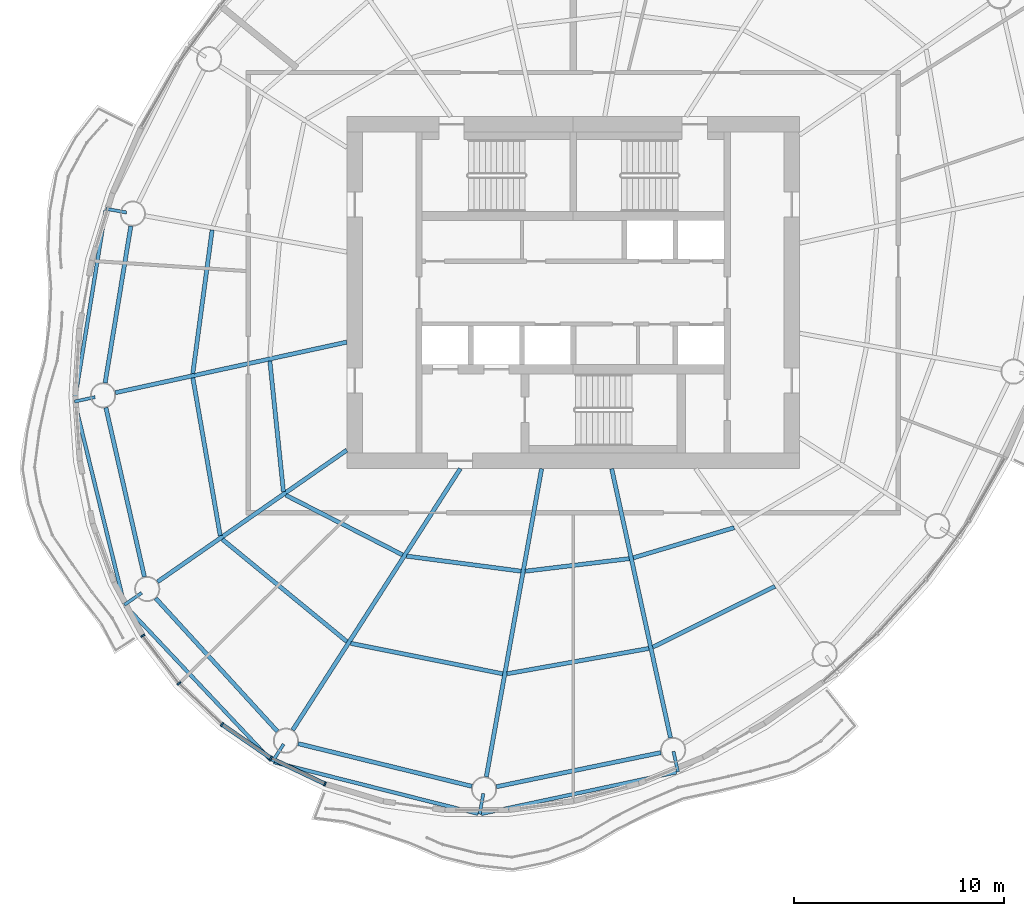
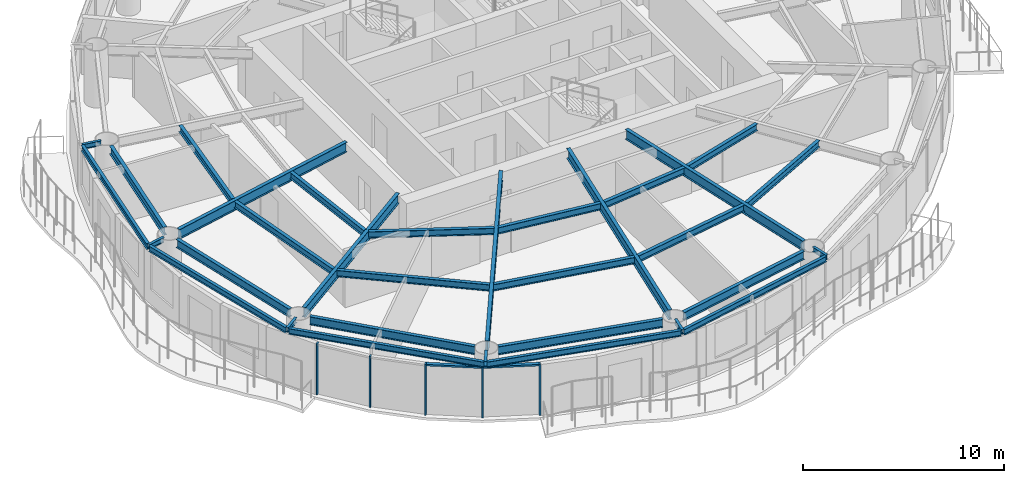
# One storey, part 2 of 14: 32 beams, 7 members, 4 elements without a shape of their own.
"""IFC4 building model written with IfcOpenShell, lengths in metres."""

from ifc_helpers import new_model, si_unit, direction, frame, origin, origin_2d, place, context, subcontext, project, spatial, rectangle, i_section, extrude, material, material_profile, profile_set, type_object, element, aggregate, save


model = new_model("IFC4")

# Units and contexts
model_context = context("Model", 3, precision=1e-05, world=origin(), true_north=direction((0.0, 1.0)))
body_context = subcontext(model_context, "Body", "Model", "MODEL_VIEW")
ifc_project = project(units=[si_unit("LENGTHUNIT", "METRE"), si_unit("AREAUNIT", "SQUARE_METRE"), si_unit("VOLUMEUNIT", "CUBIC_METRE"), si_unit("PLANEANGLEUNIT", "RADIAN"), si_unit("MASSUNIT", "GRAM", prefix="KILO")], contexts=[model_context])

# Site, building, storey
site_placement = place(None, origin())
site = spatial("IfcSite", under=ifc_project, at=site_placement, CompositionType="ELEMENT")
building_placement = place(site_placement, origin())
building = spatial("IfcBuilding", under=site, at=building_placement, Name="Vermilion Reach Broadcast Tower", CompositionType="ELEMENT")
storey_placement = place(building_placement, frame((0.0, 0.0, 235.300048828125)))
storey = spatial("IfcBuildingStorey", under=building, at=storey_placement, Name="L58", CompositionType="ELEMENT", Elevation=235.300048828125)

# Beams
ifc_material_1 = material(Name="Steel S355J2", Category="steel")
ifc_material_profile_1 = material_profile(ifc_material_1, i_section(OverallWidth=0.175048828125, OverallDepth=0.35009765625, WebThickness=0.007080078125, FlangeThickness=0.010986328125, at=origin_2d()), Name="S355J2 HN 350x175x7x11")
ifc_profile_set_1 = profile_set([ifc_material_profile_1], Name="Steel S355J2")
beam_type_1 = type_object("IfcBeamType", Name="EB4 HN 350x175x7x11", PredefinedType="BEAM", material=ifc_profile_set_1)
beam_1_placement = place(storey_placement, frame((-28.302978515625, 3.9248046875, 3.27490234375), z_axis=(-0.160024139448, -0.987113101318, 0.0), x_axis=(0.987113101318, -0.160024139448, 0.0)))
element("IfcBeam", 1, at=beam_1_placement, inside=storey, type_object=beam_type_1, Name="Edge beam EB4-06", PredefinedType="BEAM", context=body_context, shape_type="SweptSolid", body=[
    extrude(i_section(OverallWidth=0.175048828125, OverallDepth=0.35009765625, WebThickness=0.007080078125, FlangeThickness=0.010986328125, at=origin_2d()), origin(), (0.0, 0.0, 1.0), 9.16162109375),
])
beam_2_placement = place(storey_placement, frame((-29.76416015625, -5.271240234375, 3.27490234375), z_axis=(0.238213126567, -0.971212904739, 0.0), x_axis=(0.971212904739, 0.238213126567, 0.0)))
element("IfcBeam", 2, at=beam_2_placement, inside=storey, type_object=beam_type_1, Name="Edge beam EB4-07", PredefinedType="BEAM", context=body_context, shape_type="SweptSolid", body=[
    extrude(i_section(OverallWidth=0.175048828125, OverallDepth=0.35009765625, WebThickness=0.007080078125, FlangeThickness=0.010986328125, at=origin_2d()), origin(), (0.0, 0.0, 1.0), 9.82666015625),
])
beam_3_placement = place(storey_placement, frame((-27.35205078125, -14.947998046875, 3.27490234375), z_axis=(0.685968767545, -0.727630984739, 0.0), x_axis=(0.727630984739, 0.685968767545, 0.0)))
element("IfcBeam", 3, at=beam_3_placement, inside=storey, type_object=beam_type_1, Name="Edge beam EB4-08", PredefinedType="BEAM", context=body_context, shape_type="SweptSolid", body=[
    extrude(i_section(OverallWidth=0.175048828125, OverallDepth=0.35009765625, WebThickness=0.007080078125, FlangeThickness=0.010986328125, at=origin_2d()), origin(), (0.0, 0.0, 1.0), 10.1318359375),
])
beam_4_placement = place(storey_placement, frame((-20.272216796875, -22.395751953125, 3.27490234375), z_axis=(0.96945369931, -0.245274386952, 0.0), x_axis=(0.245274386952, 0.96945369931, 0.0)))
element("IfcBeam", 4, at=beam_4_placement, inside=storey, type_object=beam_type_1, Name="Edge beam EB4-09", PredefinedType="BEAM", context=body_context, shape_type="SweptSolid", body=[
    extrude(i_section(OverallWidth=0.175048828125, OverallDepth=0.35009765625, WebThickness=0.007080078125, FlangeThickness=0.010986328125, at=origin_2d()), origin(), (0.0, 0.0, 1.0), 10.04345703125),
])
beam_5_placement = place(storey_placement, frame((-10.383544921875, -24.860595703125, 3.27490234375), z_axis=(0.978034206708, 0.208444454253, 0.0), x_axis=(-0.208444454253, 0.978034206708, 0.0)))
element("IfcBeam", 5, at=beam_5_placement, inside=storey, type_object=beam_type_1, Name="Edge beam EB4-10", PredefinedType="BEAM", context=body_context, shape_type="SweptSolid", body=[
    extrude(i_section(OverallWidth=0.175048828125, OverallDepth=0.35009765625, WebThickness=0.007080078125, FlangeThickness=0.010986328125, at=origin_2d()), origin(), (0.0, 0.0, 1.0), 9.516357421875),
])
ifc_material_2 = material(Name="Steel S355J2", Category="steel")
ifc_material_profile_2 = material_profile(ifc_material_2, i_section(OverallWidth=0.199951171875, OverallDepth=0.60009765625, WebThickness=0.010986328125, FlangeThickness=0.01708984375, at=origin_2d()), Name="S355J2 HN 600x200x11x17")
ifc_profile_set_2 = profile_set([ifc_material_profile_2], Name="Steel S355J2")
beam_type_2 = type_object("IfcBeamType", Name="G4 HN 600x200x11x17", PredefinedType="BEAM", material=ifc_profile_set_2)
beam_6_placement = place(storey_placement, frame((-16.800048828125, -2.360595703125, 3.14990234375), z_axis=(-0.976930175286, -0.213558967537, 0.0), x_axis=(0.213558967537, -0.976930175286, 0.0)))
element("IfcBeam", 6, at=beam_6_placement, inside=storey, type_object=beam_type_2, Name="Girder G4-07", PredefinedType="BEAM", context=body_context, shape_type="SweptSolid", body=[
    extrude(i_section(OverallWidth=0.199951171875, OverallDepth=0.60009765625, WebThickness=0.010986328125, FlangeThickness=0.01708984375, at=origin_2d()), origin(), (0.0, 0.0, 1.0), 11.29833984375),
])
beam_7_placement = place(storey_placement, frame((-16.800048828125, -7.5146484375, 3.14990234375), z_axis=(-0.820848627818, -0.571145804684, 0.0), x_axis=(0.571145804684, -0.820848627818, 0.0)))
element("IfcBeam", 7, at=beam_7_placement, inside=storey, type_object=beam_type_2, Name="Girder G4-08", PredefinedType="BEAM", context=body_context, shape_type="SweptSolid", body=[
    extrude(i_section(OverallWidth=0.199951171875, OverallDepth=0.60009765625, WebThickness=0.010986328125, FlangeThickness=0.01708984375, at=origin_2d()), origin(), (0.0, 0.0, 1.0), 10.99560546875),
])
beam_8_placement = place(storey_placement, frame((-11.386474609375, -8.39990234375, 3.14990234375), z_axis=(-0.539796447586, -0.84179557802, 0.0), x_axis=(0.84179557802, -0.539796447586, 0.0)))
element("IfcBeam", 8, at=beam_8_placement, inside=storey, type_object=beam_type_2, Name="Girder G4-09", PredefinedType="BEAM", context=body_context, shape_type="SweptSolid", body=[
    extrude(i_section(OverallWidth=0.199951171875, OverallDepth=0.60009765625, WebThickness=0.010986328125, FlangeThickness=0.01708984375, at=origin_2d()), origin(), (0.0, 0.0, 1.0), 14.8076171875),
])
beam_9_placement = place(storey_placement, frame((-7.5068359375, -8.39990234375, 3.14990234375), z_axis=(-0.176574729047, -0.984287237072, 0.0), x_axis=(0.984287237072, -0.176574729047, 0.0)))
element("IfcBeam", 9, at=beam_9_placement, inside=storey, type_object=beam_type_2, Name="Girder G4-10", PredefinedType="BEAM", context=body_context, shape_type="SweptSolid", body=[
    extrude(i_section(OverallWidth=0.199951171875, OverallDepth=0.60009765625, WebThickness=0.010986328125, FlangeThickness=0.01708984375, at=origin_2d()), origin(), (0.0, 0.0, 1.0), 14.935302734375),
])
beam_10_placement = place(storey_placement, frame((-4.163818359375, -8.39990234375, 3.14990234375), z_axis=(0.213538346548, -0.976934682849, 0.0), x_axis=(0.976934682849, 0.213538346548, 0.0)))
element("IfcBeam", 10, at=beam_10_placement, inside=storey, type_object=beam_type_2, Name="Girder G4-11", PredefinedType="BEAM", context=body_context, shape_type="SweptSolid", body=[
    extrude(i_section(OverallWidth=0.199951171875, OverallDepth=0.60009765625, WebThickness=0.010986328125, FlangeThickness=0.01708984375, at=origin_2d()), origin(), (0.0, 0.0, 1.0), 13.135498046875),
])
ifc_material_3 = material(Name="Steel S355J2", Category="steel")
ifc_material_profile_3 = material_profile(ifc_material_3, i_section(OverallWidth=0.14990234375, OverallDepth=0.300048828125, WebThickness=0.006591796875, FlangeThickness=0.009033203125, at=origin_2d()), Name="S355J2 HN 300x150x6.5x9")
ifc_profile_set_3 = profile_set([ifc_material_profile_3], Name="Steel S355J2")
beam_type_3 = type_object("IfcBeamType", Name="GS4 HN 300x150x6.5x9", PredefinedType="BEAM", material=ifc_profile_set_3)
beam_11_placement = place(storey_placement, frame((-27.306640625, 3.822265625, 3.300048828125), z_axis=(-0.984300581331, 0.176500327456, 0.0), x_axis=(-0.176500327456, -0.984300581331, 0.0)))
element("IfcBeam", 11, at=beam_11_placement, inside=storey, type_object=beam_type_3, Name="Cantilever stub GS4-06", PredefinedType="BEAM", context=body_context, shape_type="SweptSolid", body=[
    extrude(i_section(OverallWidth=0.14990234375, OverallDepth=0.300048828125, WebThickness=0.006591796875, FlangeThickness=0.009033203125, at=origin_2d()), origin(), (0.0, 0.0, 1.0), 1.0),
])
beam_12_placement = place(storey_placement, frame((-28.80517578125, -4.98486328125, 3.300048828125), z_axis=(-0.976962101927, -0.213412866055, 0.0), x_axis=(0.213412866055, -0.976962101927, 0.0)))
element("IfcBeam", 12, at=beam_12_placement, inside=storey, type_object=beam_type_3, Name="Cantilever stub GS4-07", PredefinedType="BEAM", context=body_context, shape_type="SweptSolid", body=[
    extrude(i_section(OverallWidth=0.14990234375, OverallDepth=0.300048828125, WebThickness=0.006591796875, FlangeThickness=0.009033203125, at=origin_2d()), origin(), (0.0, 0.0, 1.0), 0.999755859375),
])
for number, where, z_axis, x_axis, name in (
    (13, (-26.583251953125, -14.32177734375, 3.300048828125), (-0.82095992961, -0.570985808908, 0.0), (0.570985808908, -0.82095992961, 0.0), "Cantilever stub GS4-08"),
    (14, (-19.80908203125, -21.53466796875, 3.300048828125), (-0.539794777091, -0.841796649213, 0.0), (0.841796649213, -0.539794777091, 0.0), "Cantilever stub GS4-09"),
):
    element("IfcBeam", number, at=place(storey_placement, frame(where, z_axis=z_axis, x_axis=x_axis)), inside=storey, type_object=beam_type_3, Name=name, PredefinedType="BEAM", context=body_context, shape_type="SweptSolid", body=[
        extrude(i_section(OverallWidth=0.14990234375, OverallDepth=0.300048828125, WebThickness=0.006591796875, FlangeThickness=0.009033203125, at=origin_2d()), origin(), (0.0, 0.0, 1.0), 1.0),
    ])
for number, where, z_axis, x_axis, name in (
    (15, (-10.2861328125, -23.893310546875, 3.300048828125), (-0.176542748677, -0.984292973606, 0.0), (0.984292973606, -0.176542748677, 0.0), "Cantilever stub GS4-10"),
    (16, (-1.21630859375, -21.884521484375, 3.300048828125), (0.213412866055, -0.976962101927, 0.0), (0.976962101927, 0.213412866055, 0.0), "Cantilever stub GS4-11"),
):
    element("IfcBeam", number, at=place(storey_placement, frame(where, z_axis=z_axis, x_axis=x_axis)), inside=storey, type_object=beam_type_3, Name=name, PredefinedType="BEAM", context=body_context, shape_type="SweptSolid", body=[
        extrude(i_section(OverallWidth=0.14990234375, OverallDepth=0.300048828125, WebThickness=0.006591796875, FlangeThickness=0.009033203125, at=origin_2d()), origin(), (0.0, 0.0, 1.0), 0.999755859375),
    ])
ifc_material_4 = material(Name="Steel S355J2", Category="steel")
ifc_material_profile_4 = material_profile(ifc_material_4, i_section(OverallWidth=0.199951171875, OverallDepth=0.5, WebThickness=0.010009765625, FlangeThickness=0.01611328125, at=origin_2d()), Name="S355J2 HN 500x200x10x16")
ifc_profile_set_4 = profile_set([ifc_material_profile_4], Name="Steel S355J2")
beam_type_4 = type_object("IfcBeamType", Name="RB4 HN 500x200x10x16", PredefinedType="BEAM", material=ifc_profile_set_4)
beam_13_placement = place(storey_placement, frame((-27.099609375, 3.175537109375, 3.199951171875), z_axis=(-0.161778110263, -0.986827159659, 0.0), x_axis=(0.986827159659, -0.161778110263, 0.0)))
element("IfcBeam", 17, at=beam_13_placement, inside=storey, type_object=beam_type_4, Name="Ring beam RB4-06", PredefinedType="BEAM", context=body_context, shape_type="SweptSolid", body=[
    extrude(i_section(OverallWidth=0.199951171875, OverallDepth=0.5, WebThickness=0.010009765625, FlangeThickness=0.01611328125, at=origin_2d()), origin(), (0.0, 0.0, 1.0), 7.584716796875),
])
beam_14_placement = place(storey_placement, frame((-28.290283203125, -5.486572265625, 3.199951171875), z_axis=(0.222283068275, -0.974982172944, 0.0), x_axis=(0.974982172944, 0.222283068275, 0.0)))
element("IfcBeam", 18, at=beam_14_placement, inside=storey, type_object=beam_type_4, Name="Ring beam RB4-07", PredefinedType="BEAM", context=body_context, shape_type="SweptSolid", body=[
    extrude(i_section(OverallWidth=0.199951171875, OverallDepth=0.5, WebThickness=0.010009765625, FlangeThickness=0.01611328125, at=origin_2d()), origin(), (0.0, 0.0, 1.0), 8.272705078125),
])
beam_15_placement = place(storey_placement, frame((-25.9130859375, -14.580078125, 3.199951171875), z_axis=(0.674868141417, -0.737938338684, 0.0), x_axis=(0.737938338684, 0.674868141417, 0.0)))
element("IfcBeam", 19, at=beam_15_placement, inside=storey, type_object=beam_type_4, Name="Ring beam RB4-08", PredefinedType="BEAM", context=body_context, shape_type="SweptSolid", body=[
    extrude(i_section(OverallWidth=0.199951171875, OverallDepth=0.5, WebThickness=0.010009765625, FlangeThickness=0.01611328125, at=origin_2d()), origin(), (0.0, 0.0, 1.0), 8.601318359375),
])
beam_16_placement = place(storey_placement, frame((-19.120849609375, -21.51318359375, 3.199951171875), z_axis=(0.971158622271, -0.238434331398, 0.0), x_axis=(0.238434331398, 0.971158622271, 0.0)))
element("IfcBeam", 20, at=beam_16_placement, inside=storey, type_object=beam_type_4, Name="Ring beam RB4-09", PredefinedType="BEAM", context=body_context, shape_type="SweptSolid", body=[
    extrude(i_section(OverallWidth=0.199951171875, OverallDepth=0.5, WebThickness=0.010009765625, FlangeThickness=0.01611328125, at=origin_2d()), origin(), (0.0, 0.0, 1.0), 8.534423828125),
])
beam_17_placement = place(storey_placement, frame((-9.662353515625, -23.569091796875, 3.199951171875), z_axis=(0.97912342484, 0.203266620302, 0.0), x_axis=(-0.203266620302, 0.97912342484, 0.0)))
element("IfcBeam", 21, at=beam_17_placement, inside=storey, type_object=beam_type_4, Name="Ring beam RB4-10", PredefinedType="BEAM", context=body_context, shape_type="SweptSolid", body=[
    extrude(i_section(OverallWidth=0.199951171875, OverallDepth=0.5, WebThickness=0.010009765625, FlangeThickness=0.01611328125, at=origin_2d()), origin(), (0.0, 0.0, 1.0), 8.01123046875),
])
ifc_material_5 = material(Name="Steel S355J2", Category="steel")
ifc_material_profile_5 = material_profile(ifc_material_5, i_section(OverallWidth=0.199951171875, OverallDepth=0.39990234375, WebThickness=0.008056640625, FlangeThickness=0.012939453125, at=origin_2d()), Name="S355J2 HN 400x200x8x13")
ifc_profile_set_5 = profile_set([ifc_material_profile_5], Name="Steel S355J2")
beam_type_5 = type_object("IfcBeamType", Name="SB4 HN 400x200x8x13", PredefinedType="BEAM", material=ifc_profile_set_5)
beam_18_placement = place(storey_placement, frame((-23.221435546875, 2.98779296875, 3.25), z_axis=(-0.133486718782, -0.991050602093, 0.0), x_axis=(0.991050602093, -0.133486718782, 0.0)))
element("IfcBeam", 22, at=beam_18_placement, inside=storey, type_object=beam_type_5, Name="Secondary beam SB4-06-2", PredefinedType="BEAM", context=body_context, shape_type="SweptSolid", body=[
    extrude(i_section(OverallWidth=0.199951171875, OverallDepth=0.39990234375, WebThickness=0.008056640625, FlangeThickness=0.012939453125, at=origin_2d()), origin(), (0.0, 0.0, 1.0), 6.913330078125),
])
beam_19_placement = place(storey_placement, frame((-20.46875, -3.264892578125, 3.25), z_axis=(0.103532173355, -0.994626105167, 0.0), x_axis=(0.994626105167, 0.103532173355, 0.0)))
element("IfcBeam", 23, at=beam_19_placement, inside=storey, type_object=beam_type_5, Name="Secondary beam SB4-07-1", PredefinedType="BEAM", context=body_context, shape_type="SweptSolid", body=[
    extrude(i_section(OverallWidth=0.199951171875, OverallDepth=0.39990234375, WebThickness=0.008056640625, FlangeThickness=0.012939453125, at=origin_2d()), origin(), (0.0, 0.0, 1.0), 6.26318359375),
])
beam_20_placement = place(storey_placement, frame((-24.141357421875, -4.067626953125, 3.25), z_axis=(0.170926997669, -0.985283695931, 0.0), x_axis=(0.985283695931, 0.170926997669, 0.0)))
element("IfcBeam", 24, at=beam_20_placement, inside=storey, type_object=beam_type_5, Name="Secondary beam SB4-07-2", PredefinedType="BEAM", context=body_context, shape_type="SweptSolid", body=[
    extrude(i_section(OverallWidth=0.199951171875, OverallDepth=0.39990234375, WebThickness=0.008056640625, FlangeThickness=0.012939453125, at=origin_2d()), origin(), (0.0, 0.0, 1.0), 7.63720703125),
])
beam_21_placement = place(storey_placement, frame((-19.707763671875, -9.659423828125, 3.25), z_axis=(0.89015575218, -0.455656380249, 0.0), x_axis=(0.455656380249, 0.89015575218, 0.0)))
element("IfcBeam", 25, at=beam_21_placement, inside=storey, type_object=beam_type_5, Name="Secondary beam SB4-08-1", PredefinedType="BEAM", context=body_context, shape_type="SweptSolid", body=[
    extrude(i_section(OverallWidth=0.199951171875, OverallDepth=0.39990234375, WebThickness=0.008056640625, FlangeThickness=0.012939453125, at=origin_2d()), origin(), (0.0, 0.0, 1.0), 6.25439453125),
])
beam_22_placement = place(storey_placement, frame((-22.73681640625, -11.76708984375, 3.25), z_axis=(0.772952000494, -0.6344645025, 0.0), x_axis=(0.6344645025, 0.772952000494, 0.0)))
element("IfcBeam", 26, at=beam_22_placement, inside=storey, type_object=beam_type_5, Name="Secondary beam SB4-08-2", PredefinedType="BEAM", context=body_context, shape_type="SweptSolid", body=[
    extrude(i_section(OverallWidth=0.199951171875, OverallDepth=0.39990234375, WebThickness=0.008056640625, FlangeThickness=0.012939453125, at=origin_2d()), origin(), (0.0, 0.0, 1.0), 7.689697265625),
])
beam_23_placement = place(storey_placement, frame((-13.94140625, -12.5693359375, 3.25), z_axis=(0.991458070019, -0.130425823341, 0.0), x_axis=(0.130425823341, 0.991458070019, 0.0)))
element("IfcBeam", 27, at=beam_23_placement, inside=storey, type_object=beam_type_5, Name="Secondary beam SB4-09-1", PredefinedType="BEAM", context=body_context, shape_type="SweptSolid", body=[
    extrude(i_section(OverallWidth=0.199951171875, OverallDepth=0.39990234375, WebThickness=0.008056640625, FlangeThickness=0.012939453125, at=origin_2d()), origin(), (0.0, 0.0, 1.0), 5.50341796875),
])
beam_24_placement = place(storey_placement, frame((-16.60986328125, -16.73095703125, 3.25), z_axis=(0.9805717807, -0.196160604851, 0.0), x_axis=(0.196160604851, 0.9805717807, 0.0)))
element("IfcBeam", 28, at=beam_24_placement, inside=storey, type_object=beam_type_5, Name="Secondary beam SB4-09-2", PredefinedType="BEAM", context=body_context, shape_type="SweptSolid", body=[
    extrude(i_section(OverallWidth=0.199951171875, OverallDepth=0.39990234375, WebThickness=0.008056640625, FlangeThickness=0.012939453125, at=origin_2d()), origin(), (0.0, 0.0, 1.0), 7.390380859375),
])
beam_25_placement = place(storey_placement, frame((-8.281982421875, -13.28759765625, 3.25), z_axis=(0.99278788328, 0.119884189168, 0.0), x_axis=(-0.119884189168, 0.99278788328, 0.0)))
element("IfcBeam", 29, at=beam_25_placement, inside=storey, type_object=beam_type_5, Name="Secondary beam SB4-10-1", PredefinedType="BEAM", context=body_context, shape_type="SweptSolid", body=[
    extrude(i_section(OverallWidth=0.199951171875, OverallDepth=0.39990234375, WebThickness=0.008056640625, FlangeThickness=0.012939453125, at=origin_2d()), origin(), (0.0, 0.0, 1.0), 4.9892578125),
])
beam_26_placement = place(storey_placement, frame((-9.159912109375, -18.181640625, 3.25), z_axis=(0.984415281892, 0.175859468829, 0.0), x_axis=(-0.175859468829, 0.984415281892, 0.0)))
element("IfcBeam", 30, at=beam_26_placement, inside=storey, type_object=beam_type_5, Name="Secondary beam SB4-10-2", PredefinedType="BEAM", context=body_context, shape_type="SweptSolid", body=[
    extrude(i_section(OverallWidth=0.199951171875, OverallDepth=0.39990234375, WebThickness=0.008056640625, FlangeThickness=0.012939453125, at=origin_2d()), origin(), (0.0, 0.0, 1.0), 6.874755859375),
])
beam_27_placement = place(storey_placement, frame((-3.1328125, -12.64892578125, 3.25), z_axis=(0.958173460215, 0.28618808525, 0.0), x_axis=(-0.28618808525, 0.958173460215, 0.0)))
element("IfcBeam", 31, at=beam_27_placement, inside=storey, type_object=beam_type_5, Name="Secondary beam SB4-11-1", PredefinedType="BEAM", context=body_context, shape_type="SweptSolid", body=[
    extrude(i_section(OverallWidth=0.199951171875, OverallDepth=0.39990234375, WebThickness=0.008056640625, FlangeThickness=0.012939453125, at=origin_2d()), origin(), (0.0, 0.0, 1.0), 5.02197265625),
])
beam_28_placement = place(storey_placement, frame((-2.20166015625, -16.908935546875, 3.25), z_axis=(0.895183615542, 0.445697536974, 0.0), x_axis=(-0.445697536974, 0.895183615542, 0.0)))
element("IfcBeam", 32, at=beam_28_placement, inside=storey, type_object=beam_type_5, Name="Secondary beam SB4-11-2", PredefinedType="BEAM", context=body_context, shape_type="SweptSolid", body=[
    extrude(i_section(OverallWidth=0.199951171875, OverallDepth=0.39990234375, WebThickness=0.008056640625, FlangeThickness=0.012939453125, at=origin_2d()), origin(), (0.0, 0.0, 1.0), 6.508544921875),
])

# Curtain wall, member
ifc_material_6 = material(Name="Low-e laminated clear glass in aluminium frame", Category="aluminium")
curtain_wall_type = type_object("IfcCurtainWallType", Name="Slot curtain wall", PredefinedType="NOTDEFINED", material=ifc_material_6)
placement = place(storey_placement, origin())
curtain_wall_1 = element("IfcCurtainWall", 33, at=placement, inside=storey, type_object=curtain_wall_type, Name="Slot curtain wall L58 22", PredefinedType="NOTDEFINED")
ifc_material_7 = material(Name="Anodised aluminium", Category="aluminium")
ifc_material_profile_6 = material_profile(ifc_material_7, rectangle(XDim=0.199951171875, YDim=0.080078125, at=origin_2d()), Name="Slot mullion 80 x 200")
ifc_profile_set_6 = profile_set([ifc_material_profile_6], Name="Anodised aluminium")
member_type_1 = type_object("IfcMemberType", Name="Slot mullion 80 x 200", PredefinedType="MULLION", material=ifc_profile_set_6)
member_1_placement = place(storey_placement, frame((-26.529052734375, -16.365478515625, 0.0), z_axis=(0.0, 0.0, 1.0), x_axis=(0.840504812157, 0.541804079664, 0.0)))
member_1 = element("IfcMember", 34, at=member_1_placement, type_object=member_type_1, Name="Slot mullion L58 22", PredefinedType="MULLION", context=body_context, shape_type="SweptSolid", body=[
    extrude(rectangle(XDim=0.199951171875, YDim=0.080078125, at=origin_2d()), origin(), (0.0, 0.0, 1.0), 3.099853515625),
])
aggregate(curtain_wall_1, [member_1])

curtain_wall_2 = element("IfcCurtainWall", 35, at=placement, inside=storey, type_object=curtain_wall_type, Name="Slot curtain wall L58 23", PredefinedType="NOTDEFINED")
member_2_placement = place(storey_placement, frame((-24.7998046875, -18.640625, 0.0), z_axis=(0.0, 0.0, 1.0), x_axis=(0.745812044366, 0.666156433939, 0.0)))
member_2 = element("IfcMember", 36, at=member_2_placement, type_object=member_type_1, Name="Slot mullion L58 23", PredefinedType="MULLION", context=body_context, shape_type="SweptSolid", body=[
    extrude(rectangle(XDim=0.199951171875, YDim=0.080078125, at=origin_2d()), origin(), (0.0, 0.0, 1.0), 3.099853515625),
])
aggregate(curtain_wall_2, [member_2])

curtain_wall_3 = element("IfcCurtainWall", 37, at=placement, inside=storey, type_object=curtain_wall_type, Name="Slot curtain wall L58 24", PredefinedType="NOTDEFINED")
member_3_placement = place(storey_placement, frame((-22.751220703125, -20.59765625, 0.0), z_axis=(0.0, 0.0, 1.0), x_axis=(0.630946564907, 0.775826289985, 0.0)))
member_3 = element("IfcMember", 38, at=member_3_placement, type_object=member_type_1, Name="Slot mullion L58 24", PredefinedType="MULLION", context=body_context, shape_type="SweptSolid", body=[
    extrude(rectangle(XDim=0.199951171875, YDim=0.080078125, at=origin_2d()), origin(), (0.0, 0.0, 1.0), 3.099853515625),
])

# Curtain wall, members
curtain_wall_4 = element("IfcCurtainWall", 39, at=placement, inside=storey, type_object=curtain_wall_type, Name="Slot curtain wall L58 25", PredefinedType="NOTDEFINED")
member_4_placement = place(storey_placement, frame((-20.417724609375, -22.204345703125, 0.0), z_axis=(0.0, 0.0, 1.0), x_axis=(0.500167776548, 0.865928516278, 0.0)))
member_4 = element("IfcMember", 40, at=member_4_placement, type_object=member_type_1, Name="Slot mullion L58 25", PredefinedType="MULLION", context=body_context, shape_type="SweptSolid", body=[
    extrude(rectangle(XDim=0.199951171875, YDim=0.080078125, at=origin_2d()), origin(), (0.0, 0.0, 1.0), 3.099853515625),
])
member_5_placement = place(storey_placement, frame((-17.837890625, -23.43359375, 0.0), z_axis=(0.0, 0.0, 1.0), x_axis=(0.359126089255, 0.933289050625, 0.0)))
member_5 = element("IfcMember", 41, at=member_5_placement, type_object=member_type_1, Name="Slot mullion L58 26", PredefinedType="MULLION", context=body_context, shape_type="SweptSolid", body=[
    extrude(rectangle(XDim=0.199951171875, YDim=0.080078125, at=origin_2d()), origin(), (0.0, 0.0, 1.0), 3.099853515625),
])

# Member
ifc_material_8 = material(Name="Anodised aluminium", Category="aluminium")
ifc_material_profile_7 = material_profile(ifc_material_8, rectangle(XDim=0.199951171875, YDim=0.10009765625, at=origin_2d()), Name="Slot transom 200 x 100")
ifc_profile_set_7 = profile_set([ifc_material_profile_7], Name="Anodised aluminium")
member_type_2 = type_object("IfcMemberType", Name="Slot transom 200 x 100", PredefinedType="USERDEFINED", material=ifc_profile_set_7)
member_6_placement = place(storey_placement, frame((-22.71826171875, -20.620361328125, 3.050048828125), z_axis=(0.823648434104, -0.56710074678, 0.0), x_axis=(0.56710074678, 0.823648434104, 0.0)))
member_6 = element("IfcMember", 42, at=member_6_placement, type_object=member_type_2, Name="Slot transom L58 24.1", ObjectType="TRANSOM", PredefinedType="USERDEFINED", context=body_context, shape_type="SweptSolid", body=[
    extrude(rectangle(XDim=0.199951171875, YDim=0.10009765625, at=origin_2d()), origin(), (0.0, 0.0, 1.0), 2.753173828125),
])

aggregate(curtain_wall_3, [member_3, member_6])

member_7_placement = place(storey_placement, frame((-20.381591796875, -22.2216796875, 3.050048828125), z_axis=(0.902790644181, -0.430080286435, 0.0), x_axis=(0.430080286435, 0.902790644181, 0.0)))
member_7 = element("IfcMember", 43, at=member_7_placement, type_object=member_type_2, Name="Slot transom L58 25.1", ObjectType="TRANSOM", PredefinedType="USERDEFINED", context=body_context, shape_type="SweptSolid", body=[
    extrude(rectangle(XDim=0.199951171875, YDim=0.10009765625, at=origin_2d()), origin(), (0.0, 0.0, 1.0), 2.777587890625),
])

aggregate(curtain_wall_4, [member_4, member_5, member_7])

save(model, "model.ifc")
